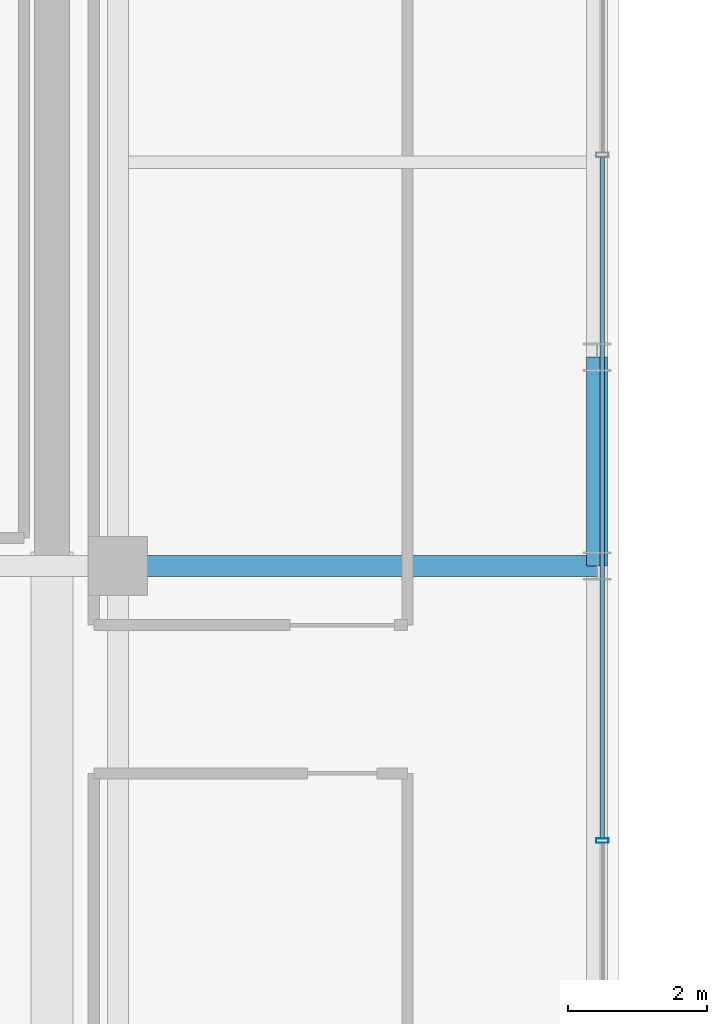
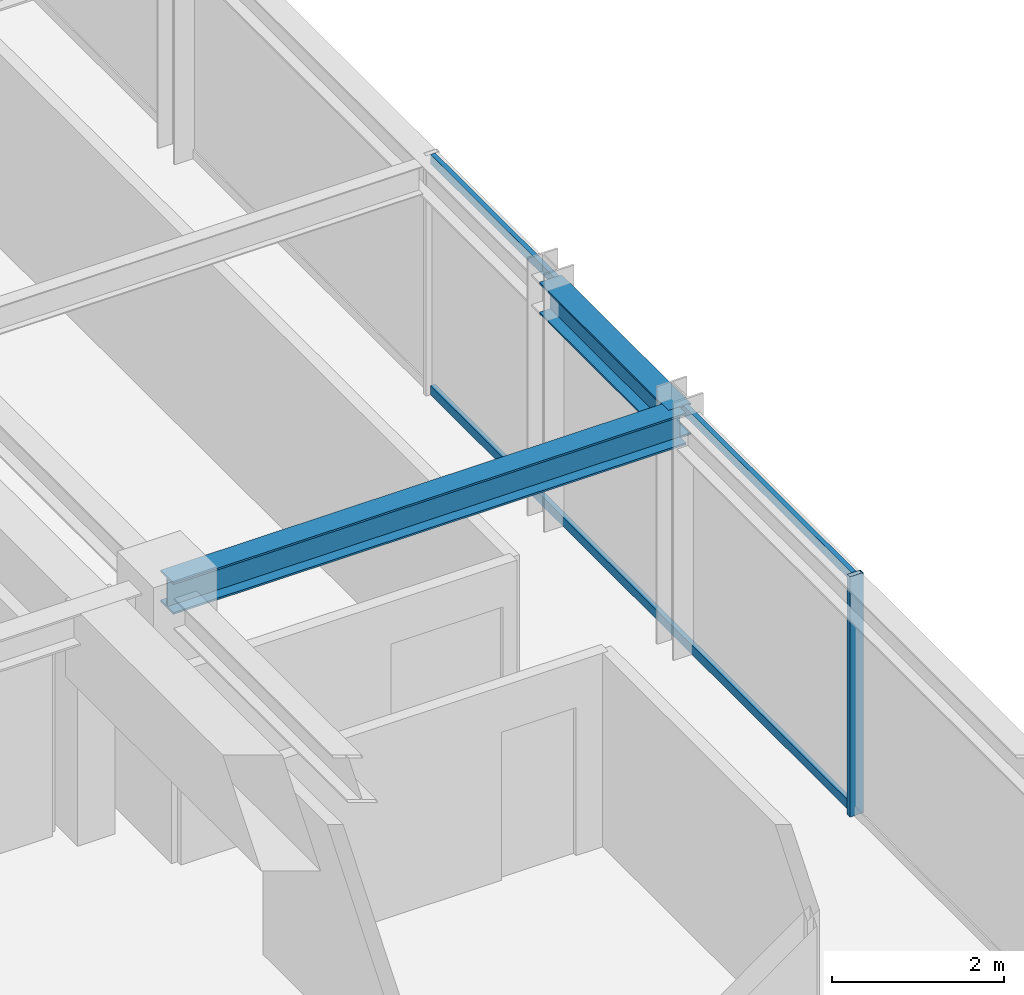
# One storey, part 17 of 42: 3 members, 2 beams, 1 element without a shape of its own.
"""IFC4 building model written with IfcOpenShell, lengths in metres."""

from ifc_helpers import new_model, si_unit, direction, frame, origin, origin_2d, place, context, subcontext, project, spatial, hollow_rectangle, i_section, extrude, source, transform, mapped, material, material_profile, profile_set, type_object, element, aggregate, save


model = new_model("IFC4")

# Units and contexts
model_context = context("Model", 3, precision=1e-05, world=origin(), true_north=direction((0.0, 1.0)))
body_context = subcontext(model_context, "Body", "Model", "MODEL_VIEW")
ifc_project = project(units=[si_unit("LENGTHUNIT", "METRE"), si_unit("AREAUNIT", "SQUARE_METRE"), si_unit("VOLUMEUNIT", "CUBIC_METRE"), si_unit("PLANEANGLEUNIT", "RADIAN"), si_unit("MASSUNIT", "GRAM", prefix="KILO")], contexts=[model_context])

# Site, building, storey
site_placement = place(None, origin())
site = spatial("IfcSite", under=ifc_project, at=site_placement, CompositionType="ELEMENT")
building_placement = place(site_placement, origin())
building = spatial("IfcBuilding", under=site, at=building_placement, Name="Nahalor Promenade Grand Hotel", CompositionType="ELEMENT")
storey_placement = place(building_placement, frame((0.0, 0.0, 249.300048828125)))
storey = spatial("IfcBuildingStorey", under=building, at=storey_placement, Name="L64", CompositionType="ELEMENT", Elevation=249.300048828125)

# Beams
ifc_material_1 = material(Name="Steel S355JR", Category="steel")
ifc_material_profile_1 = material_profile(ifc_material_1, i_section(OverallWidth=0.3, OverallDepth=0.45, WebThickness=0.014, FlangeThickness=0.026, at=origin_2d()), Name="HEB 450")
ifc_profile_set_1 = profile_set([ifc_material_profile_1], Name="Steel S355JR")
beam_type_1 = type_object("IfcBeamType", Name="Beam-Spandrel-HEB450", PredefinedType="SPANDREL", material=ifc_profile_set_1)
shared_shape_1 = source(origin(), body_context, "Body", "SweptSolid", [
    extrude(i_section(OverallWidth=0.3, OverallDepth=0.45, WebThickness=0.014, FlangeThickness=0.026, at=origin_2d()), origin(), (0.0, 0.0, 1.0), 3.0),
])
beam_1_placement = place(storey_placement, frame((23.8798828125, 5.39990234375, 3.18505859375), z_axis=(0.0, 1.0, 0.0), x_axis=(-1.0, 0.0, 0.0)))
element("IfcBeam", 1, at=beam_1_placement, inside=storey, type_object=beam_type_1, Name="BM-L64-SP-E-3", PredefinedType="SPANDREL", context=body_context, shape_type="MappedRepresentation", body=[
    mapped(shared_shape_1, transform((0.0, 0.0, 0.0), scale=1.0)),
])
ifc_material_profile_2 = material_profile(ifc_material_1, i_section(OverallWidth=0.3, OverallDepth=0.45, WebThickness=0.014, FlangeThickness=0.026, at=origin_2d()), Name="HEB 450")
ifc_profile_set_2 = profile_set([ifc_material_profile_2], Name="Steel S355JR")
beam_type_2 = type_object("IfcBeamType", Name="Beam-Girder-HEB450", PredefinedType="BEAM", material=ifc_profile_set_2)
shared_shape_2 = source(origin(), body_context, "Body", "SweptSolid", [
    extrude(i_section(OverallWidth=0.3, OverallDepth=0.45, WebThickness=0.014, FlangeThickness=0.026, at=origin_2d()), origin(), (0.0, 0.0, 1.0), 6.8798828125),
])
beam_2_placement = place(storey_placement, frame((17.0, 5.39990234375, 3.18505859375), z_axis=(1.0, 0.0, 0.0), x_axis=(0.0, 1.0, 0.0)))
element("IfcBeam", 2, at=beam_2_placement, inside=storey, type_object=beam_type_2, Name="BM-L64-GX-2-6", PredefinedType="BEAM", context=body_context, shape_type="MappedRepresentation", body=[
    mapped(shared_shape_2, transform((0.0, 0.0, 0.0), scale=1.0)),
])

# Curtain wall, members
ifc_material_2 = material(Name="Anodised Bronze Aluminium EN AW-6063 T6", Category="aluminium")
curtain_wall_type = type_object("IfcCurtainWallType", Name="CW2 Typical Hotel Flush Bronze Unitised Curtain Wall", PredefinedType="USERDEFINED", material=ifc_material_2)
curtain_wall_placement = place(storey_placement, origin())
curtain_wall = element("IfcCurtainWall", 3, at=curtain_wall_placement, inside=storey, type_object=curtain_wall_type, Name="L64 Curtain Wall CW-L64-E-3", ObjectType="UNITISED_CURTAIN_WALL", PredefinedType="USERDEFINED")
ifc_material_profile_3 = material_profile(ifc_material_2, hollow_rectangle(XDim=0.065, YDim=0.13, WallThickness=0.004, at=origin_2d()), Name="CWT 65x130x4")
ifc_profile_set_3 = profile_set([ifc_material_profile_3], Name="Anodised Bronze Aluminium EN AW-6063 T6")
member_type_1 = type_object("IfcMemberType", Name="CWT2 Typical Bronze Transom 65x130", PredefinedType="USERDEFINED", material=ifc_profile_set_3)
shared_shape_3 = source(origin(), body_context, "Body", "SweptSolid", [
    extrude(hollow_rectangle(XDim=0.065, YDim=0.13, WallThickness=0.004, at=origin_2d()), origin(), (0.0, 0.0, 1.0), 9.788330078125),
])
member_1_placement = place(storey_placement, frame((23.9599609375, 1.48583984375, 0.06494140625), z_axis=(0.0, 1.0, 0.0), x_axis=(-1.0, 0.0, 0.0)))
member_1 = element("IfcMember", 4, at=member_1_placement, type_object=member_type_1, Name="CW-L64-E-3 Transom 1-0", ObjectType="TRANSOM", PredefinedType="USERDEFINED", context=body_context, shape_type="MappedRepresentation", body=[
    mapped(shared_shape_3, transform((0.0, 0.0, 0.0), scale=1.0)),
])
member_2_placement = place(storey_placement, frame((23.9599609375, 1.48583984375, 3.344970703125), z_axis=(0.0, 1.0, 0.0), x_axis=(-1.0, 0.0, 0.0)))
member_2 = element("IfcMember", 5, at=member_2_placement, type_object=member_type_1, Name="CW-L64-E-3 Transom 1-1", ObjectType="TRANSOM", PredefinedType="USERDEFINED", context=body_context, shape_type="MappedRepresentation", body=[
    mapped(shared_shape_3, transform((0.0, 0.0, 0.0), scale=1.0)),
])
ifc_material_profile_4 = material_profile(ifc_material_2, hollow_rectangle(XDim=0.065, YDim=0.18, WallThickness=0.004, at=origin_2d()), Name="CWM 65x180x4")
ifc_profile_set_4 = profile_set([ifc_material_profile_4], Name="Anodised Bronze Aluminium EN AW-6063 T6")
member_type_2 = type_object("IfcMemberType", Name="CWM2 Typical Bronze Mullion 65x180", PredefinedType="MULLION", material=ifc_profile_set_4)
shared_shape_4 = source(origin(), body_context, "Body", "SweptSolid", [
    extrude(hollow_rectangle(XDim=0.065, YDim=0.18, WallThickness=0.004, at=origin_2d()), origin(), (0.0, 0.0, 1.0), 3.409912109375),
])
member_3_placement = place(storey_placement, frame((23.9599609375, 1.453369140625, 0.0), z_axis=(0.0, 0.0, 1.0), x_axis=(0.0, 1.0, 0.0)))
member_3 = element("IfcMember", 6, at=member_3_placement, type_object=member_type_2, Name="CW-L64-E-3 Mullion 1", PredefinedType="MULLION", context=body_context, shape_type="MappedRepresentation", body=[
    mapped(shared_shape_4, transform((0.0, 0.0, 0.0), scale=1.0)),
])
aggregate(curtain_wall, [member_3, member_1, member_2])

save(model, "model.ifc")
